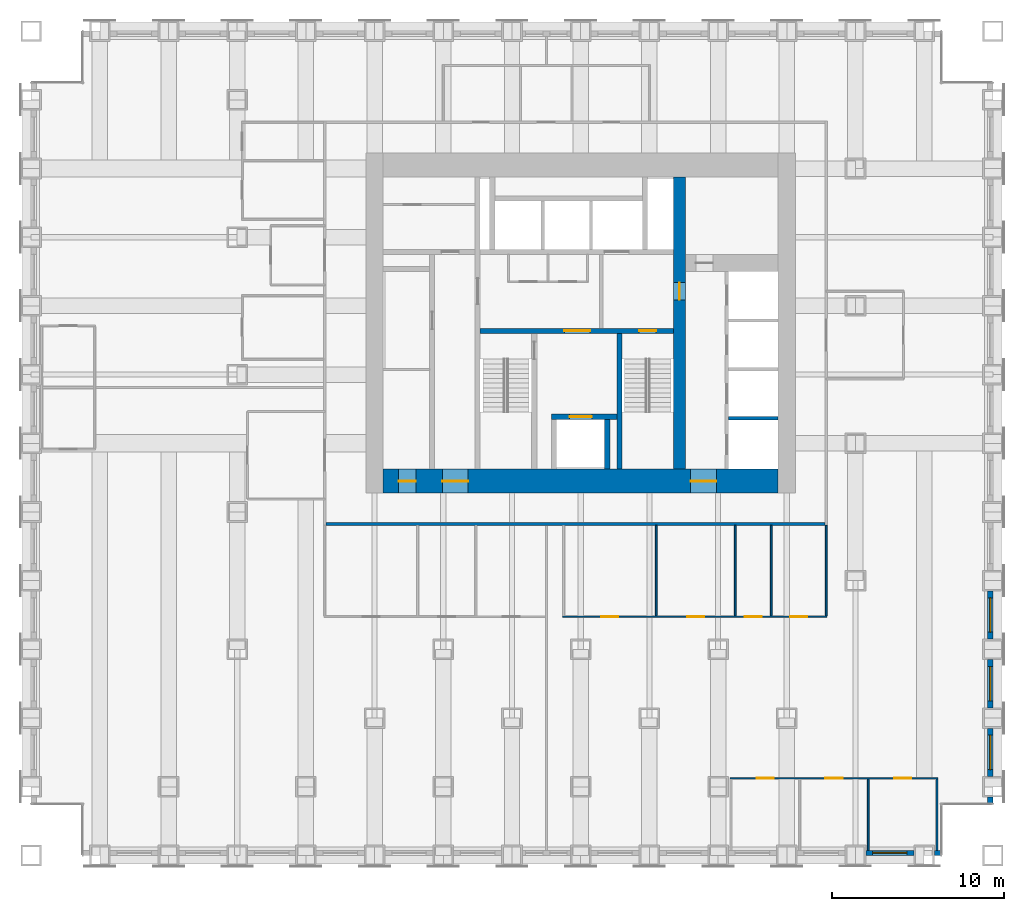
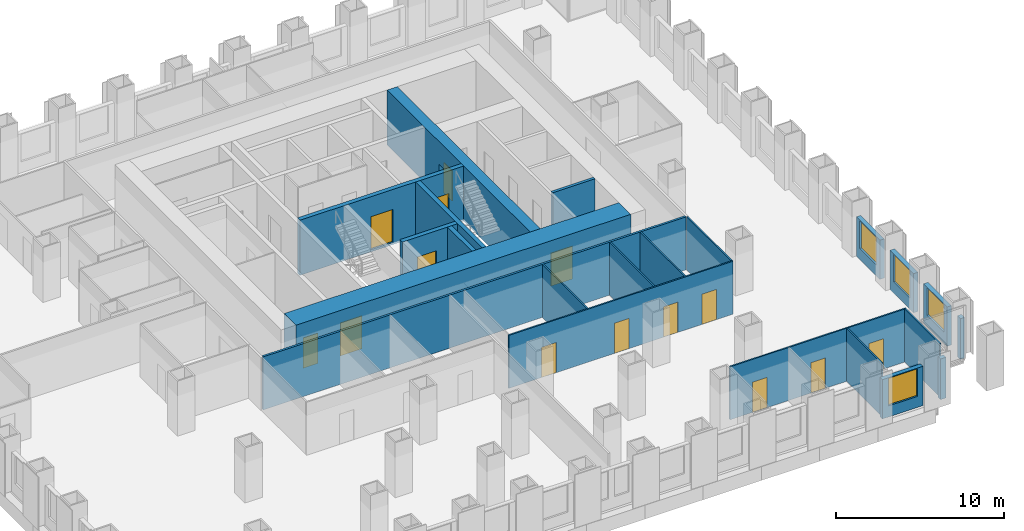
# One storey, part 10 of 15: 22 walls, 14 doors, 4 windows, 18 openings.
"""IFC4 building model written with IfcOpenShell, lengths in metres."""

from ifc_helpers import new_model, si_unit, direction, frame, frame_2d, origin, place, context, subcontext, project, spatial, rectangle, extrude, material, layer, layer_set, type_object, element, fill, save


model = new_model("IFC4")

# Units and contexts
model_context = context("Model", 3, precision=1e-05, world=origin(), true_north=direction((0.0, 1.0)))
body_context = subcontext(model_context, "Body", "Model", "MODEL_VIEW")
ifc_project = project(units=[si_unit("LENGTHUNIT", "METRE"), si_unit("AREAUNIT", "SQUARE_METRE"), si_unit("VOLUMEUNIT", "CUBIC_METRE"), si_unit("PLANEANGLEUNIT", "RADIAN"), si_unit("MASSUNIT", "GRAM", prefix="KILO")], contexts=[model_context])

# Site, building, storey
site_placement = place(None, origin())
site = spatial("IfcSite", under=ifc_project, at=site_placement, CompositionType="ELEMENT")
building_placement = place(site_placement, origin())
building = spatial("IfcBuilding", under=site, at=building_placement, Name="Rimbunsela Tower", CompositionType="ELEMENT")
storey_placement = place(building_placement, frame((0.0, 0.0, 27.0)))
storey = spatial("IfcBuildingStorey", under=building, at=storey_placement, Name="L06", CompositionType="ELEMENT", Elevation=27.0)

# Wall, openings, doors
ifc_material_1 = material(Name="Concrete fc' 80 MPa", Category="concrete")
ifc_layer_1 = layer(ifc_material_1, 0.300048828125)
ifc_layer_set_1 = layer_set([ifc_layer_1], Name="Core internal wall 300")
wall_type_1 = type_object("IfcWallType", Name="Core internal wall 300", PredefinedType="SHEAR", material=ifc_layer_set_1)
wall_1_placement = place(storey_placement, frame((24.14990234375, 26.550048828125, -0.14990234375), z_axis=(0.0, 0.0, 1.0), x_axis=(1.0, 0.0, 0.0)))
wall_1 = element("IfcWall", 1, at=wall_1_placement, inside=storey, type_object=wall_type_1, Name="Core wall lobby south", PredefinedType="SHEAR", context=body_context, shape_type="SweptSolid", body=[
    extrude(rectangle(XDim=11.25, YDim=0.300048828125, at=frame_2d((5.625, 0.0))), origin(), (0.0, 0.0, 1.0), 4.0),
])
opening_1_placement = place(wall_1_placement, frame((9.25, 0.0, 0.14990234375)))
opening_1 = element("IfcOpeningElement", 2, at=opening_1_placement, cuts=wall_1, Name="Opening D01", PredefinedType="OPENING", context=body_context, shape_type="SweptSolid", body=[
    extrude(rectangle(XDim=1.0, YDim=2.199951171875, at=frame_2d((0.5, 1.10009765625))), frame((0.0, 0.159912109375, 0.0), z_axis=(0.0, -1.0, 0.0), x_axis=(1.0, 0.0, 0.0)), (0.0, 0.0, 1.0), 0.320068359375),
])
opening_2_placement = place(wall_1_placement, frame((4.89990234375, 0.0, 0.14990234375)))
opening_2 = element("IfcOpeningElement", 3, at=opening_2_placement, cuts=wall_1, Name="Opening D03", PredefinedType="OPENING", context=body_context, shape_type="SweptSolid", body=[
    extrude(rectangle(XDim=1.5, YDim=2.39990234375, at=frame_2d((0.75, 1.199951171875))), frame((0.0, 0.159912109375, 0.0), z_axis=(0.0, -1.0, 0.0), x_axis=(1.0, 0.0, 0.0)), (0.0, 0.0, 1.0), 0.320068359375),
])
ifc_material_2 = material(Name="Steel door, fire rated", Category="steel")
door_type_1 = type_object("IfcDoorType", Name="Core lobby door 1500", OperationType="DOUBLE_DOOR_DOUBLE_SWING", PredefinedType="DOOR", material=ifc_material_2)
door_1_placement = place(opening_2_placement, origin())
door_1 = element("IfcDoor", 4, at=door_1_placement, inside=storey, type_object=door_type_1, Name="Firefighting lobby door", OperationType="DOUBLE_DOOR_DOUBLE_SWING", OverallHeight=2.39990234375, OverallWidth=1.5, PredefinedType="DOOR", context=body_context, shape_type="SweptSolid", body=[
    extrude(rectangle(XDim=1.5, YDim=2.39990234375, at=frame_2d((0.75, 1.199951171875))), frame((0.0, 0.02490234375, 0.0), z_axis=(0.0, -1.0, 0.0), x_axis=(1.0, 0.0, 0.0)), (0.0, 0.0, 1.0), 0.050048828125),
])
fill(opening_2, door_1)
ifc_material_3 = material(Name="Steel door, fire rated", Category="steel")
door_type_2 = type_object("IfcDoorType", Name="Stair door 1000", OperationType="SINGLE_SWING_RIGHT", PredefinedType="DOOR", material=ifc_material_3)
door_2_placement = place(opening_1_placement, frame((1.0, 0.0, 0.0), z_axis=(0.0, 0.0, 1.0), x_axis=(-1.0, 0.0, 0.0)))
door_2 = element("IfcDoor", 5, at=door_2_placement, inside=storey, type_object=door_type_2, Name="Stair B door", OperationType="SINGLE_SWING_RIGHT", OverallHeight=2.199951171875, OverallWidth=1.0, PredefinedType="DOOR", context=body_context, shape_type="SweptSolid", body=[
    extrude(rectangle(XDim=1.0, YDim=2.199951171875, at=frame_2d((0.5, 1.10009765625))), frame((0.0, 0.02490234375, 0.0), z_axis=(0.0, -1.0, 0.0), x_axis=(1.0, 0.0, 0.0)), (0.0, 0.0, 1.0), 0.050048828125),
])
fill(opening_1, door_2)

# Walls
wall_2_placement = place(storey_placement, frame((32.25, 18.5, -0.14990234375), z_axis=(0.0, 0.0, 1.0), x_axis=(0.0, 1.0, 0.0)))
element("IfcWall", 6, at=wall_2_placement, inside=storey, type_object=wall_type_1, Name="Stair B enclosure", PredefinedType="SHEAR", context=body_context, shape_type="SweptSolid", body=[
    extrude(rectangle(XDim=7.89990234375, YDim=0.300048828125, at=frame_2d((3.949951171875, 0.0))), origin(), (0.0, 0.0, 1.0), 4.0),
])
wall_3_placement = place(storey_placement, frame((31.550048828125, 18.5, -0.14990234375), z_axis=(0.0, 0.0, 1.0), x_axis=(0.0, 1.0, 0.0)))
element("IfcWall", 7, at=wall_3_placement, inside=storey, type_object=wall_type_1, Name="Firefighting lift shaft east", PredefinedType="SHEAR", context=body_context, shape_type="SweptSolid", body=[
    extrude(rectangle(XDim=2.89990234375, YDim=0.300048828125, at=frame_2d((1.449951171875, 0.0))), origin(), (0.0, 0.0, 1.0), 4.0),
])

# Wall, opening, door
wall_4_placement = place(storey_placement, frame((28.300048828125, 21.550048828125, -0.14990234375), z_axis=(0.0, 0.0, 1.0), x_axis=(1.0, 0.0, 0.0)))
wall_4 = element("IfcWall", 8, at=wall_4_placement, inside=storey, type_object=wall_type_1, Name="Firefighting lift shaft front", PredefinedType="SHEAR", context=body_context, shape_type="SweptSolid", body=[
    extrude(rectangle(XDim=3.800048828125, YDim=0.300048828125, at=frame_2d((1.89990234375, 0.0))), origin(), (0.0, 0.0, 1.0), 4.0),
])
opening_3_placement = place(wall_4_placement, frame((1.050048828125, 0.0, 0.14990234375)))
opening_3 = element("IfcOpeningElement", 9, at=opening_3_placement, cuts=wall_4, Name="Opening LD2", PredefinedType="OPENING", context=body_context, shape_type="SweptSolid", body=[
    extrude(rectangle(XDim=1.300048828125, YDim=2.39990234375, at=frame_2d((0.64990234375, 1.199951171875))), frame((0.0, 0.159912109375, 0.0), z_axis=(0.0, -1.0, 0.0), x_axis=(1.0, 0.0, 0.0)), (0.0, 0.0, 1.0), 0.320068359375),
])
ifc_material_4 = material(Name="Steel door, fire rated", Category="steel")
door_type_3 = type_object("IfcDoorType", Name="Lift landing door 1300", OperationType="DOUBLE_DOOR_SLIDING", PredefinedType="DOOR", material=ifc_material_4)
door_3_placement = place(opening_3_placement, origin())
door_3 = element("IfcDoor", 10, at=door_3_placement, inside=storey, type_object=door_type_3, Name="Lift landing door FL1", OperationType="DOUBLE_DOOR_SLIDING", OverallHeight=2.39990234375, OverallWidth=1.300048828125, PredefinedType="DOOR", context=body_context, shape_type="SweptSolid", body=[
    extrude(rectangle(XDim=1.300048828125, YDim=2.39990234375, at=frame_2d((0.64990234375, 1.199951171875))), frame((0.0, 0.02490234375, 0.0), z_axis=(0.0, -1.0, 0.0), x_axis=(1.0, 0.0, 0.0)), (0.0, 0.0, 1.0), 0.050048828125),
])
fill(opening_3, door_3)

# Wall, openings, doors
ifc_material_5 = material(Name="Concrete fc' 80 MPa", Category="concrete")
ifc_layer_2 = layer(ifc_material_5, 1.39990234375)
ifc_layer_set_2 = layer_set([ifc_layer_2], Name="Core wall 1400")
wall_type_2 = type_object("IfcWallType", Name="Core wall 1400", PredefinedType="SHEAR", material=ifc_layer_set_2)
wall_5_placement = place(storey_placement, frame((18.5, 17.800048828125, -0.14990234375), z_axis=(0.0, 0.0, 1.0), x_axis=(1.0, 0.0, 0.0)))
wall_5 = element("IfcWall", 11, at=wall_5_placement, inside=storey, type_object=wall_type_2, Name="Core wall south", PredefinedType="SHEAR", context=body_context, shape_type="SweptSolid", body=[
    extrude(rectangle(XDim=23.0, YDim=1.39990234375, at=frame_2d((11.5, 0.0))), origin(), (0.0, 0.0, 1.0), 4.0),
])
opening_4_placement = place(wall_5_placement, frame((3.449951171875, 0.0, 0.14990234375)))
opening_4 = element("IfcOpeningElement", 12, at=opening_4_placement, cuts=wall_5, Name="Opening D03", PredefinedType="OPENING", context=body_context, shape_type="SweptSolid", body=[
    extrude(rectangle(XDim=1.5, YDim=2.39990234375, at=frame_2d((0.75, 1.199951171875))), frame((0.0, 0.7099609375, 0.0), z_axis=(0.0, -1.0, 0.0), x_axis=(1.0, 0.0, 0.0)), (0.0, 0.0, 1.0), 1.419921875),
])
opening_5_placement = place(wall_5_placement, frame((17.89990234375, 0.0, 0.14990234375)))
opening_5 = element("IfcOpeningElement", 13, at=opening_5_placement, cuts=wall_5, Name="Opening D03", PredefinedType="OPENING", context=body_context, shape_type="SweptSolid", body=[
    extrude(rectangle(XDim=1.5, YDim=2.39990234375, at=frame_2d((0.75, 1.199951171875))), frame((0.0, 0.7099609375, 0.0), z_axis=(0.0, -1.0, 0.0), x_axis=(1.0, 0.0, 0.0)), (0.0, 0.0, 1.0), 1.419921875),
])
opening_6_placement = place(wall_5_placement, frame((0.89990234375, 0.0, 0.14990234375)))
opening_6 = element("IfcOpeningElement", 14, at=opening_6_placement, cuts=wall_5, Name="Opening D19", PredefinedType="OPENING", context=body_context, shape_type="SweptSolid", body=[
    extrude(rectangle(XDim=1.0, YDim=2.199951171875, at=frame_2d((0.5, 1.10009765625))), frame((0.0, 0.7099609375, 0.0), z_axis=(0.0, -1.0, 0.0), x_axis=(1.0, 0.0, 0.0)), (0.0, 0.0, 1.0), 1.419921875),
])
door_4_placement = place(opening_4_placement, origin())
door_4 = element("IfcDoor", 15, at=door_4_placement, inside=storey, type_object=door_type_1, Name="Core door south", OperationType="DOUBLE_DOOR_DOUBLE_SWING", OverallHeight=2.39990234375, OverallWidth=1.5, PredefinedType="DOOR", context=body_context, shape_type="SweptSolid", body=[
    extrude(rectangle(XDim=1.5, YDim=2.39990234375, at=frame_2d((0.75, 1.199951171875))), frame((0.0, 0.02490234375, 0.0), z_axis=(0.0, -1.0, 0.0), x_axis=(1.0, 0.0, 0.0)), (0.0, 0.0, 1.0), 0.050048828125),
])
fill(opening_4, door_4)
door_5_placement = place(opening_5_placement, origin())
door_5 = element("IfcDoor", 16, at=door_5_placement, inside=storey, type_object=door_type_1, Name="Core door south-east", OperationType="DOUBLE_DOOR_DOUBLE_SWING", OverallHeight=2.39990234375, OverallWidth=1.5, PredefinedType="DOOR", context=body_context, shape_type="SweptSolid", body=[
    extrude(rectangle(XDim=1.5, YDim=2.39990234375, at=frame_2d((0.75, 1.199951171875))), frame((0.0, 0.02490234375, 0.0), z_axis=(0.0, -1.0, 0.0), x_axis=(1.0, 0.0, 0.0)), (0.0, 0.0, 1.0), 0.050048828125),
])
fill(opening_5, door_5)
ifc_material_6 = material(Name="Steel door, fire rated", Category="steel")
door_type_4 = type_object("IfcDoorType", Name="Service door 1000 fire rated", OperationType="SINGLE_SWING_LEFT", PredefinedType="DOOR", material=ifc_material_6)
door_6_placement = place(opening_6_placement, origin())
door_6 = element("IfcDoor", 17, at=door_6_placement, inside=storey, type_object=door_type_4, Name="Electrical room door", OperationType="SINGLE_SWING_LEFT", OverallHeight=2.199951171875, OverallWidth=1.0, PredefinedType="DOOR", context=body_context, shape_type="SweptSolid", body=[
    extrude(rectangle(XDim=1.0, YDim=2.199951171875, at=frame_2d((0.5, 1.10009765625))), frame((0.0, 0.02490234375, 0.0), z_axis=(0.0, -1.0, 0.0), x_axis=(1.0, 0.0, 0.0)), (0.0, 0.0, 1.0), 0.050048828125),
])
fill(opening_6, door_6)

# Wall, opening, door
ifc_material_7 = material(Name="Concrete fc' 80 MPa", Category="concrete")
ifc_layer_3 = layer(ifc_material_7, 0.699951171875)
ifc_layer_set_3 = layer_set([ifc_layer_3], Name="Core wall 700 east")
wall_type_3 = type_object("IfcWallType", Name="Core wall 700 east", PredefinedType="SHEAR", material=ifc_layer_set_3)
wall_6_placement = place(storey_placement, frame((35.75, 18.5, -0.14990234375), z_axis=(0.0, 0.0, 1.0), x_axis=(0.0, 1.0, 0.0)))
wall_6 = element("IfcWall", 18, at=wall_6_placement, inside=storey, type_object=wall_type_3, Name="Core wall low-rise bank", PredefinedType="SHEAR", context=body_context, shape_type="SweptSolid", body=[
    extrude(rectangle(XDim=17.0, YDim=0.699951171875, at=frame_2d((8.5, 0.0))), origin(), (0.0, 0.0, 1.0), 4.0),
])
opening_7_placement = place(wall_6_placement, frame((9.85009765625, 0.0, 0.14990234375)))
opening_7 = element("IfcOpeningElement", 19, at=opening_7_placement, cuts=wall_6, Name="Opening D01", PredefinedType="OPENING", context=body_context, shape_type="SweptSolid", body=[
    extrude(rectangle(XDim=1.0, YDim=2.199951171875, at=frame_2d((0.5, 1.10009765625))), frame((0.0, 0.35986328125, 0.0), z_axis=(0.0, -1.0, 0.0), x_axis=(1.0, 0.0, 0.0)), (0.0, 0.0, 1.0), 0.719970703125),
])
door_7_placement = place(opening_7_placement, origin())
door_7 = element("IfcDoor", 20, at=door_7_placement, inside=storey, type_object=door_type_2, Name="Firefighting lobby 2 door", OperationType="SINGLE_SWING_RIGHT", OverallHeight=2.199951171875, OverallWidth=1.0, PredefinedType="DOOR", context=body_context, shape_type="SweptSolid", body=[
    extrude(rectangle(XDim=1.0, YDim=2.199951171875, at=frame_2d((0.5, 1.10009765625))), frame((0.0, 0.02490234375, 0.0), z_axis=(0.0, -1.0, 0.0), x_axis=(1.0, 0.0, 0.0)), (0.0, 0.0, 1.0), 0.050048828125),
])
fill(opening_7, door_7)

# Wall
ifc_material_8 = material(Name="Concrete blockwork", Category="masonry")
ifc_layer_4 = layer(ifc_material_8, 0.199951171875)
ifc_layer_set_4 = layer_set([ifc_layer_4], Name="Lift shaft wall 200")
wall_type_4 = type_object("IfcWallType", Name="Lift shaft wall 200", PredefinedType="SOLIDWALL", material=ifc_layer_set_4)
wall_7_placement = place(storey_placement, frame((38.60009765625, 21.449951171875, -0.14990234375), z_axis=(0.0, 0.0, 1.0), x_axis=(1.0, 0.0, 0.0)))
element("IfcWall", 21, at=wall_7_placement, inside=storey, type_object=wall_type_4, Name="Lift shaft separation", PredefinedType="SOLIDWALL", context=body_context, shape_type="SweptSolid", body=[
    extrude(rectangle(XDim=2.89990234375, YDim=0.199951171875, at=frame_2d((1.449951171875, 0.0))), origin(), (0.0, 0.0, 1.0), 4.0),
])

# Wall, openings, doors
ifc_material_9 = material(Name="Gypsum board on steel studs", Category="steel")
ifc_layer_5 = layer(ifc_material_9, 0.10009765625)
ifc_layer_set_5 = layer_set([ifc_layer_5], Name="Office partition 100")
wall_type_5 = type_object("IfcWallType", Name="Office partition 100", PredefinedType="PARTITIONING", material=ifc_layer_set_5)
wall_8_placement = place(storey_placement, frame((38.699951171875, 0.5, 0.0), z_axis=(0.0, 0.0, 1.0), x_axis=(1.0, 0.0, 0.0)))
wall_8 = element("IfcWall", 22, at=wall_8_placement, inside=storey, type_object=wall_type_5, Name="Office partition", PredefinedType="PARTITIONING", context=body_context, shape_type="SweptSolid", body=[
    extrude(rectangle(XDim=12.10009765625, YDim=0.10009765625, at=frame_2d((6.050048828125, 0.0))), origin(), (0.0, 0.0, 1.0), 3.85009765625),
])
opening_8_placement = place(wall_8_placement, frame((1.550048828125, 0.0, 0.0)))
opening_8 = element("IfcOpeningElement", 23, at=opening_8_placement, cuts=wall_8, Name="Opening D16", PredefinedType="OPENING", context=body_context, shape_type="SweptSolid", body=[
    extrude(rectangle(XDim=1.0, YDim=2.199951171875, at=frame_2d((0.5, 1.10009765625))), frame((0.0, 0.06005859375, 0.0), z_axis=(0.0, -1.0, 0.0), x_axis=(1.0, 0.0, 0.0)), (0.0, 0.0, 1.0), 0.1201171875),
])
opening_9_placement = place(wall_8_placement, frame((5.550048828125, 0.0, 0.0)))
opening_9 = element("IfcOpeningElement", 24, at=opening_9_placement, cuts=wall_8, Name="Opening D16", PredefinedType="OPENING", context=body_context, shape_type="SweptSolid", body=[
    extrude(rectangle(XDim=1.0, YDim=2.199951171875, at=frame_2d((0.5, 1.10009765625))), frame((0.0, 0.06005859375, 0.0), z_axis=(0.0, -1.0, 0.0), x_axis=(1.0, 0.0, 0.0)), (0.0, 0.0, 1.0), 0.1201171875),
])
opening_10_placement = place(wall_8_placement, frame((9.550048828125, 0.0, 0.0)))
opening_10 = element("IfcOpeningElement", 25, at=opening_10_placement, cuts=wall_8, Name="Opening D16", PredefinedType="OPENING", context=body_context, shape_type="SweptSolid", body=[
    extrude(rectangle(XDim=1.0, YDim=2.199951171875, at=frame_2d((0.5, 1.10009765625))), frame((0.0, 0.06005859375, 0.0), z_axis=(0.0, -1.0, 0.0), x_axis=(1.0, 0.0, 0.0)), (0.0, 0.0, 1.0), 0.1201171875),
])
ifc_material_10 = material(Name="Timber door", Category="wood")
door_type_5 = type_object("IfcDoorType", Name="Office door 1000", OperationType="SINGLE_SWING_LEFT", PredefinedType="DOOR", material=ifc_material_10)
door_8_placement = place(opening_8_placement, origin())
door_8 = element("IfcDoor", 26, at=door_8_placement, inside=storey, type_object=door_type_5, Name="Office door", OperationType="SINGLE_SWING_LEFT", OverallHeight=2.199951171875, OverallWidth=1.0, PredefinedType="DOOR", context=body_context, shape_type="SweptSolid", body=[
    extrude(rectangle(XDim=1.0, YDim=2.199951171875, at=frame_2d((0.5, 1.10009765625))), frame((0.0, 0.02490234375, 0.0), z_axis=(0.0, -1.0, 0.0), x_axis=(1.0, 0.0, 0.0)), (0.0, 0.0, 1.0), 0.050048828125),
])
fill(opening_8, door_8)
door_9_placement = place(opening_9_placement, origin())
door_9 = element("IfcDoor", 27, at=door_9_placement, inside=storey, type_object=door_type_5, Name="Office door", OperationType="SINGLE_SWING_LEFT", OverallHeight=2.199951171875, OverallWidth=1.0, PredefinedType="DOOR", context=body_context, shape_type="SweptSolid", body=[
    extrude(rectangle(XDim=1.0, YDim=2.199951171875, at=frame_2d((0.5, 1.10009765625))), frame((0.0, 0.02490234375, 0.0), z_axis=(0.0, -1.0, 0.0), x_axis=(1.0, 0.0, 0.0)), (0.0, 0.0, 1.0), 0.050048828125),
])
fill(opening_9, door_9)
door_10_placement = place(opening_10_placement, origin())
door_10 = element("IfcDoor", 28, at=door_10_placement, inside=storey, type_object=door_type_5, Name="Office door", OperationType="SINGLE_SWING_LEFT", OverallHeight=2.199951171875, OverallWidth=1.0, PredefinedType="DOOR", context=body_context, shape_type="SweptSolid", body=[
    extrude(rectangle(XDim=1.0, YDim=2.199951171875, at=frame_2d((0.5, 1.10009765625))), frame((0.0, 0.02490234375, 0.0), z_axis=(0.0, -1.0, 0.0), x_axis=(1.0, 0.0, 0.0)), (0.0, 0.0, 1.0), 0.050048828125),
])
fill(opening_10, door_10)

wall_9_placement = place(storey_placement, frame((28.948974609375, 9.89990234375, 0.0), z_axis=(0.0, 0.0, 1.0), x_axis=(1.0, 0.0, 0.0)))
wall_9 = element("IfcWall", 29, at=wall_9_placement, inside=storey, type_object=wall_type_5, Name="Office partition", PredefinedType="PARTITIONING", context=body_context, shape_type="SweptSolid", body=[
    extrude(rectangle(XDim=15.401123046875, YDim=0.10009765625, at=frame_2d((7.70068359375, 0.0))), origin(), (0.0, 0.0, 1.0), 3.85009765625),
])
opening_11_placement = place(wall_9_placement, frame((2.25, 0.0, 0.0)))
opening_11 = element("IfcOpeningElement", 30, at=opening_11_placement, cuts=wall_9, Name="Opening D17", PredefinedType="OPENING", context=body_context, shape_type="SweptSolid", body=[
    extrude(rectangle(XDim=1.0, YDim=2.199951171875, at=frame_2d((0.5, 1.10009765625))), frame((0.0, 0.06005859375, 0.0), z_axis=(0.0, -1.0, 0.0), x_axis=(1.0, 0.0, 0.0)), (0.0, 0.0, 1.0), 0.1201171875),
])
opening_12_placement = place(wall_9_placement, frame((7.25, 0.0, 0.0)))
opening_12 = element("IfcOpeningElement", 31, at=opening_12_placement, cuts=wall_9, Name="Opening D16", PredefinedType="OPENING", context=body_context, shape_type="SweptSolid", body=[
    extrude(rectangle(XDim=1.0, YDim=2.199951171875, at=frame_2d((0.5, 1.10009765625))), frame((0.0, 0.06005859375, 0.0), z_axis=(0.0, -1.0, 0.0), x_axis=(1.0, 0.0, 0.0)), (0.0, 0.0, 1.0), 0.1201171875),
])
opening_13_placement = place(wall_9_placement, frame((10.60009765625, 0.0, 0.0)))
opening_13 = element("IfcOpeningElement", 32, at=opening_13_placement, cuts=wall_9, Name="Opening D16", PredefinedType="OPENING", context=body_context, shape_type="SweptSolid", body=[
    extrude(rectangle(XDim=1.0, YDim=2.199951171875, at=frame_2d((0.5, 1.10009765625))), frame((0.0, 0.06005859375, 0.0), z_axis=(0.0, -1.0, 0.0), x_axis=(1.0, 0.0, 0.0)), (0.0, 0.0, 1.0), 0.1201171875),
])
opening_14_placement = place(wall_9_placement, frame((13.25048828125, 0.0, 0.0)))
opening_14 = element("IfcOpeningElement", 33, at=opening_14_placement, cuts=wall_9, Name="Opening D16", PredefinedType="OPENING", context=body_context, shape_type="SweptSolid", body=[
    extrude(rectangle(XDim=1.0, YDim=2.199951171875, at=frame_2d((0.5, 1.10009765625))), frame((0.0, 0.06005859375, 0.0), z_axis=(0.0, -1.0, 0.0), x_axis=(1.0, 0.0, 0.0)), (0.0, 0.0, 1.0), 0.1201171875),
])
ifc_material_11 = material(Name="Glazed aluminium door", Category="aluminium")
door_type_6 = type_object("IfcDoorType", Name="Meeting room door 1000 glazed", OperationType="SINGLE_SWING_RIGHT", PredefinedType="DOOR", material=ifc_material_11)
door_11_placement = place(opening_11_placement, origin())
door_11 = element("IfcDoor", 34, at=door_11_placement, inside=storey, type_object=door_type_6, Name="Meeting room door", OperationType="SINGLE_SWING_RIGHT", OverallHeight=2.199951171875, OverallWidth=1.0, PredefinedType="DOOR", context=body_context, shape_type="SweptSolid", body=[
    extrude(rectangle(XDim=1.0, YDim=2.199951171875, at=frame_2d((0.5, 1.10009765625))), frame((0.0, 0.02490234375, 0.0), z_axis=(0.0, -1.0, 0.0), x_axis=(1.0, 0.0, 0.0)), (0.0, 0.0, 1.0), 0.050048828125),
])
fill(opening_11, door_11)
door_12_placement = place(opening_12_placement, origin())
door_12 = element("IfcDoor", 35, at=door_12_placement, inside=storey, type_object=door_type_5, Name="Office door", OperationType="SINGLE_SWING_LEFT", OverallHeight=2.199951171875, OverallWidth=1.0, PredefinedType="DOOR", context=body_context, shape_type="SweptSolid", body=[
    extrude(rectangle(XDim=1.0, YDim=2.199951171875, at=frame_2d((0.5, 1.10009765625))), frame((0.0, 0.02490234375, 0.0), z_axis=(0.0, -1.0, 0.0), x_axis=(1.0, 0.0, 0.0)), (0.0, 0.0, 1.0), 0.050048828125),
])
fill(opening_12, door_12)
door_13_placement = place(opening_13_placement, origin())
door_13 = element("IfcDoor", 36, at=door_13_placement, inside=storey, type_object=door_type_5, Name="Office door", OperationType="SINGLE_SWING_LEFT", OverallHeight=2.199951171875, OverallWidth=1.0, PredefinedType="DOOR", context=body_context, shape_type="SweptSolid", body=[
    extrude(rectangle(XDim=1.0, YDim=2.199951171875, at=frame_2d((0.5, 1.10009765625))), frame((0.0, 0.02490234375, 0.0), z_axis=(0.0, -1.0, 0.0), x_axis=(1.0, 0.0, 0.0)), (0.0, 0.0, 1.0), 0.050048828125),
])
fill(opening_13, door_13)
door_14_placement = place(opening_14_placement, origin())
door_14 = element("IfcDoor", 37, at=door_14_placement, inside=storey, type_object=door_type_5, Name="Office door", OperationType="SINGLE_SWING_LEFT", OverallHeight=2.199951171875, OverallWidth=1.0, PredefinedType="DOOR", context=body_context, shape_type="SweptSolid", body=[
    extrude(rectangle(XDim=1.0, YDim=2.199951171875, at=frame_2d((0.5, 1.10009765625))), frame((0.0, 0.02490234375, 0.0), z_axis=(0.0, -1.0, 0.0), x_axis=(1.0, 0.0, 0.0)), (0.0, 0.0, 1.0), 0.050048828125),
])
fill(opening_14, door_14)

# Walls
for number, where, z_axis, x_axis, name in (
    (38, (34.39892578125, 9.949951171875, 0.0), (0.0, 0.0, 1.0), (0.0, 1.0, 0.0), "Office partition"),
    (39, (38.9990234375, 9.949951171875, 0.0), (0.0, 0.0, 1.0), (0.0, 1.0, 0.0), "Office partition"),
    (40, (41.09912109375, 9.949951171875, 0.0), (0.0, 0.0, 1.0), (0.0, 1.0, 0.0), "Office partition"),
    (41, (44.300048828125, 9.949951171875, 0.0), (0.0, 0.0, 1.0), (0.0, 1.0, 0.0), "Office partition"),
):
    element("IfcWall", number, at=place(storey_placement, frame(where, z_axis=z_axis, x_axis=x_axis)), inside=storey, type_object=wall_type_5, Name=name, PredefinedType="PARTITIONING", context=body_context, shape_type="SweptSolid", body=[
        extrude(rectangle(XDim=5.275146484375, YDim=0.10009765625, at=frame_2d((2.6376953125, 0.0))), origin(), (0.0, 0.0, 1.0), 3.85009765625),
    ])
for number, where, z_axis, x_axis, name in (
    (42, (46.75, -3.699951171875, 0.0), (0.0, 0.0, 1.0), (0.0, 1.0, 0.0), "Office partition"),
    (43, (50.75, -3.699951171875, 0.0), (0.0, 0.0, 1.0), (0.0, 1.0, 0.0), "Office partition"),
):
    element("IfcWall", number, at=place(storey_placement, frame(where, z_axis=z_axis, x_axis=x_axis)), inside=storey, type_object=wall_type_5, Name=name, PredefinedType="PARTITIONING", context=body_context, shape_type="SweptSolid", body=[
        extrude(rectangle(XDim=4.14990234375, YDim=0.10009765625, at=frame_2d((2.074951171875, 0.0))), origin(), (0.0, 0.0, 1.0), 3.85009765625),
    ])

# Wall, opening, window
ifc_material_12 = material(Name="Precast concrete fc' 35 MPa", Category="concrete")
ifc_layer_6 = layer(ifc_material_12, 0.300048828125)
ifc_layer_set_6 = layer_set([ifc_layer_6], Name="Precast concrete fc' 35 MPa")
wall_type_6 = type_object("IfcWallType", Name="Precast facade panel 300", PredefinedType="ELEMENTEDWALL", material=ifc_layer_set_6)
wall_10_placement = place(storey_placement, frame((46.60009765625, -3.85009765625, 0.0), z_axis=(0.0, 0.0, 1.0), x_axis=(1.0, 0.0, 0.0)))
wall_10 = element("IfcWall", 44, at=wall_10_placement, inside=storey, type_object=wall_type_6, Name="Facade panel S L06", PredefinedType="ELEMENTEDWALL", context=body_context, shape_type="SweptSolid", body=[
    extrude(rectangle(XDim=2.7998046875, YDim=0.300048828125, at=frame_2d((1.39990234375, 0.0))), origin(), (0.0, 0.0, 1.0), 2.85009765625),
])
opening_15_placement = place(wall_10_placement, frame((0.39990234375, 0.0, 0.800048828125)))
opening_15 = element("IfcOpeningElement", 45, at=opening_15_placement, cuts=wall_10, Name="Opening W1", PredefinedType="OPENING", context=body_context, shape_type="SweptSolid", body=[
    extrude(rectangle(XDim=2.0, YDim=2.0, at=frame_2d((1.0, 1.0))), frame((0.0, 0.159912109375, 0.0), z_axis=(0.0, -1.0, 0.0), x_axis=(1.0, 0.0, 0.0)), (0.0, 0.0, 1.0), 0.320068359375),
])
ifc_material_13 = material(Name="Clear glass in aluminium frame", Category="aluminium")
window_type = type_object("IfcWindowType", Name="Window W1 2000x2000", PartitioningType="DOUBLE_PANEL_VERTICAL", PredefinedType="WINDOW", material=ifc_material_13)
window_1_placement = place(opening_15_placement, origin())
window_1 = element("IfcWindow", 46, at=window_1_placement, inside=storey, type_object=window_type, Name="Window L06", OverallHeight=2.0, OverallWidth=2.0, PartitioningType="SINGLE_PANEL", PredefinedType="WINDOW", context=body_context, shape_type="SweptSolid", body=[
    extrude(rectangle(XDim=2.0, YDim=2.0, at=frame_2d((1.0, 1.0))), frame((0.0, 0.030029296875, 0.0), z_axis=(0.0, -1.0, 0.0), x_axis=(1.0, 0.0, 0.0)), (0.0, 0.0, 1.0), 0.06005859375),
])
fill(opening_15, window_1)

# Walls
for number, where, z_axis, x_axis, name in (
    (47, (50.60009765625, -3.85009765625, 0.0), (0.0, 0.0, 1.0), (1.0, 0.0, 0.0), "Facade panel S L06"),
    (48, (53.85009765625, -0.969970703125, 0.0), (0.0, 0.0, 1.0), (0.0, 1.0, 0.0), "Facade panel E L06"),
):
    element("IfcWall", number, at=place(storey_placement, frame(where, z_axis=z_axis, x_axis=x_axis)), inside=storey, type_object=wall_type_6, Name=name, PredefinedType="ELEMENTEDWALL", context=body_context, shape_type="SweptSolid", body=[
        extrude(rectangle(XDim=0.369873046875, YDim=0.300048828125, at=frame_2d((0.18505859375, 0.0))), origin(), (0.0, 0.0, 1.0), 2.949951171875),
    ])

# Wall, opening, window
wall_11_placement = place(storey_placement, frame((53.85009765625, 0.60009765625, 0.0), z_axis=(0.0, 0.0, 1.0), x_axis=(0.0, 1.0, 0.0)))
wall_11 = element("IfcWall", 49, at=wall_11_placement, inside=storey, type_object=wall_type_6, Name="Facade panel E L06", PredefinedType="ELEMENTEDWALL", context=body_context, shape_type="SweptSolid", body=[
    extrude(rectangle(XDim=2.7998046875, YDim=0.300048828125, at=frame_2d((1.39990234375, 0.0))), origin(), (0.0, 0.0, 1.0), 2.85009765625),
])
opening_16_placement = place(wall_11_placement, frame((0.39990234375, 0.0, 0.800048828125)))
opening_16 = element("IfcOpeningElement", 50, at=opening_16_placement, cuts=wall_11, Name="Opening W1", PredefinedType="OPENING", context=body_context, shape_type="SweptSolid", body=[
    extrude(rectangle(XDim=2.0, YDim=2.0, at=frame_2d((1.0, 1.0))), frame((0.0, 0.159912109375, 0.0), z_axis=(0.0, -1.0, 0.0), x_axis=(1.0, 0.0, 0.0)), (0.0, 0.0, 1.0), 0.320068359375),
])
window_2_placement = place(opening_16_placement, origin())
window_2 = element("IfcWindow", 51, at=window_2_placement, inside=storey, type_object=window_type, Name="Window L06", OverallHeight=2.0, OverallWidth=2.0, PartitioningType="SINGLE_PANEL", PredefinedType="WINDOW", context=body_context, shape_type="SweptSolid", body=[
    extrude(rectangle(XDim=2.0, YDim=2.0, at=frame_2d((1.0, 1.0))), frame((0.0, 0.030029296875, 0.0), z_axis=(0.0, -1.0, 0.0), x_axis=(1.0, 0.0, 0.0)), (0.0, 0.0, 1.0), 0.06005859375),
])
fill(opening_16, window_2)

wall_12_placement = place(storey_placement, frame((53.85009765625, 4.60009765625, 0.0), z_axis=(0.0, 0.0, 1.0), x_axis=(0.0, 1.0, 0.0)))
wall_12 = element("IfcWall", 52, at=wall_12_placement, inside=storey, type_object=wall_type_6, Name="Facade panel E L06", PredefinedType="ELEMENTEDWALL", context=body_context, shape_type="SweptSolid", body=[
    extrude(rectangle(XDim=2.7998046875, YDim=0.300048828125, at=frame_2d((1.39990234375, 0.0))), origin(), (0.0, 0.0, 1.0), 2.85009765625),
])
opening_17_placement = place(wall_12_placement, frame((0.39990234375, 0.0, 0.800048828125)))
opening_17 = element("IfcOpeningElement", 53, at=opening_17_placement, cuts=wall_12, Name="Opening W1", PredefinedType="OPENING", context=body_context, shape_type="SweptSolid", body=[
    extrude(rectangle(XDim=2.0, YDim=2.0, at=frame_2d((1.0, 1.0))), frame((0.0, 0.159912109375, 0.0), z_axis=(0.0, -1.0, 0.0), x_axis=(1.0, 0.0, 0.0)), (0.0, 0.0, 1.0), 0.320068359375),
])
window_3_placement = place(opening_17_placement, origin())
window_3 = element("IfcWindow", 54, at=window_3_placement, inside=storey, type_object=window_type, Name="Window L06", OverallHeight=2.0, OverallWidth=2.0, PartitioningType="SINGLE_PANEL", PredefinedType="WINDOW", context=body_context, shape_type="SweptSolid", body=[
    extrude(rectangle(XDim=2.0, YDim=2.0, at=frame_2d((1.0, 1.0))), frame((0.0, 0.030029296875, 0.0), z_axis=(0.0, -1.0, 0.0), x_axis=(1.0, 0.0, 0.0)), (0.0, 0.0, 1.0), 0.06005859375),
])
fill(opening_17, window_3)

wall_13_placement = place(storey_placement, frame((53.85009765625, 8.60009765625, 0.0), z_axis=(0.0, 0.0, 1.0), x_axis=(0.0, 1.0, 0.0)))
wall_13 = element("IfcWall", 55, at=wall_13_placement, inside=storey, type_object=wall_type_6, Name="Facade panel E L06", PredefinedType="ELEMENTEDWALL", context=body_context, shape_type="SweptSolid", body=[
    extrude(rectangle(XDim=2.7998046875, YDim=0.300048828125, at=frame_2d((1.39990234375, 0.0))), origin(), (0.0, 0.0, 1.0), 2.85009765625),
])
opening_18_placement = place(wall_13_placement, frame((0.39990234375, 0.0, 0.800048828125)))
opening_18 = element("IfcOpeningElement", 56, at=opening_18_placement, cuts=wall_13, Name="Opening W1", PredefinedType="OPENING", context=body_context, shape_type="SweptSolid", body=[
    extrude(rectangle(XDim=2.0, YDim=2.0, at=frame_2d((1.0, 1.0))), frame((0.0, 0.159912109375, 0.0), z_axis=(0.0, -1.0, 0.0), x_axis=(1.0, 0.0, 0.0)), (0.0, 0.0, 1.0), 0.320068359375),
])
window_4_placement = place(opening_18_placement, origin())
window_4 = element("IfcWindow", 57, at=window_4_placement, inside=storey, type_object=window_type, Name="Window L06", OverallHeight=2.0, OverallWidth=2.0, PartitioningType="SINGLE_PANEL", PredefinedType="WINDOW", context=body_context, shape_type="SweptSolid", body=[
    extrude(rectangle(XDim=2.0, YDim=2.0, at=frame_2d((1.0, 1.0))), frame((0.0, 0.030029296875, 0.0), z_axis=(0.0, -1.0, 0.0), x_axis=(1.0, 0.0, 0.0)), (0.0, 0.0, 1.0), 0.06005859375),
])
fill(opening_18, window_4)

# Wall
ifc_material_14 = material(Name="Fire-rated gypsum board on steel studs, EI 60", Category="steel")
ifc_layer_7 = layer(ifc_material_14, 0.14990234375)
ifc_layer_set_7 = layer_set([ifc_layer_7], Name="Rated corridor wall 150")
wall_type_7 = type_object("IfcWallType", Name="Rated corridor wall 150", PredefinedType="PARTITIONING", material=ifc_layer_set_7)
wall_14_placement = place(storey_placement, frame((15.175048828125, 15.300048828125, 0.0), z_axis=(0.0, 0.0, 1.0), x_axis=(1.0, 0.0, 0.0)))
element("IfcWall", 58, at=wall_14_placement, inside=storey, type_object=wall_type_7, Name="Corridor wall south", PredefinedType="PARTITIONING", context=body_context, shape_type="SweptSolid", body=[
    extrude(rectangle(XDim=29.050048828125, YDim=0.14990234375, at=frame_2d((14.52490234375, 0.0))), origin(), (0.0, 0.0, 1.0), 3.85009765625),
])

save(model, "model.ifc")
